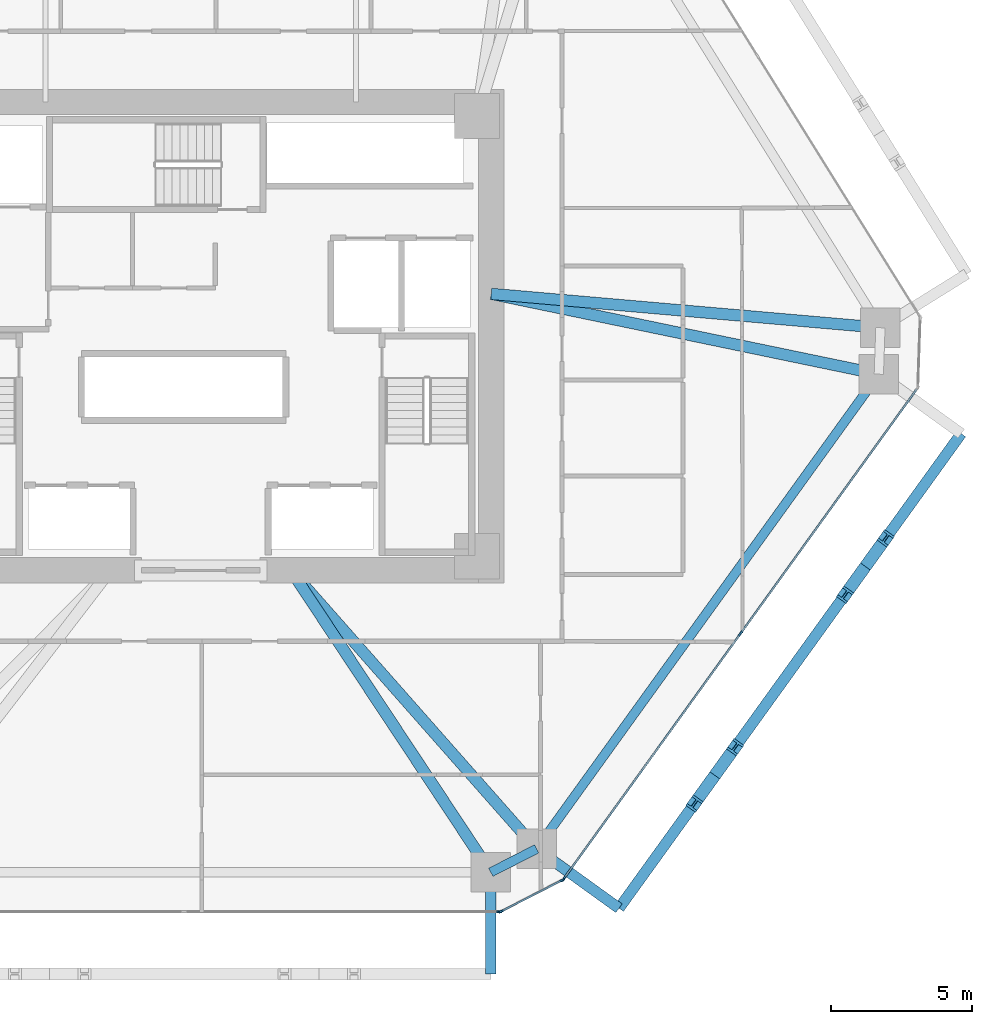
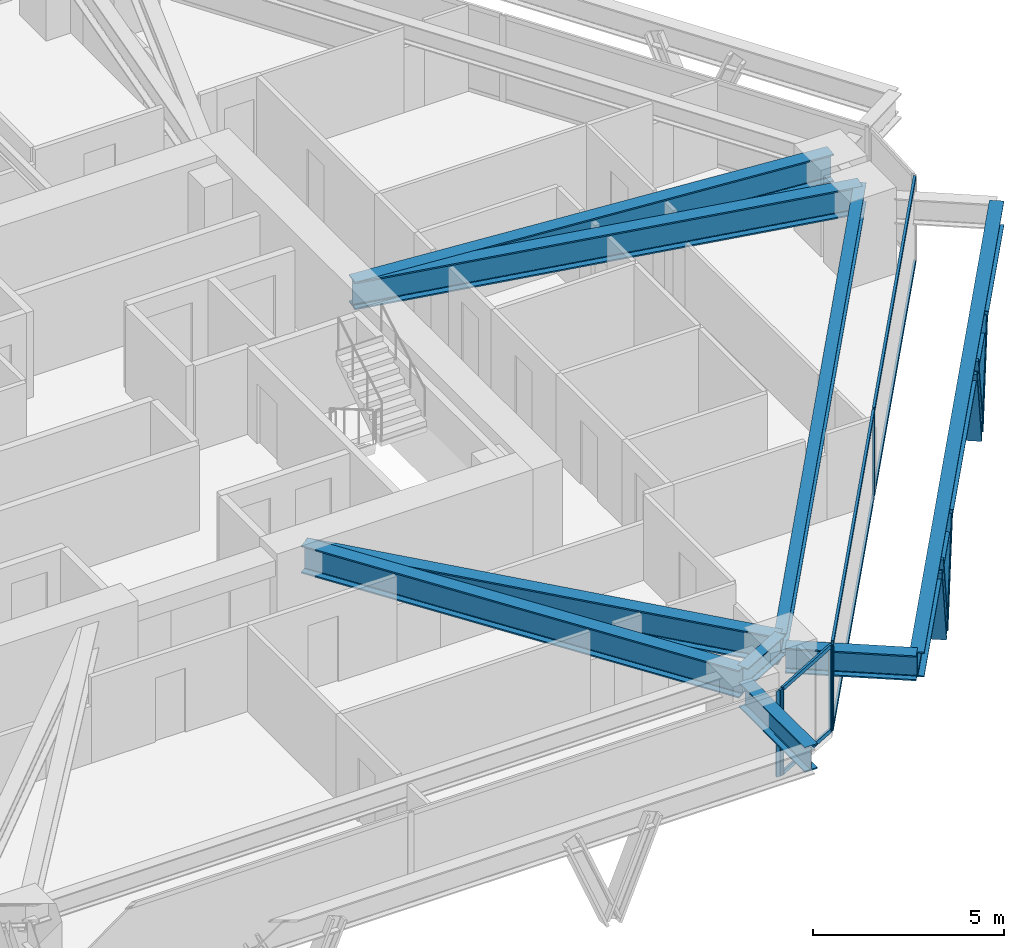
# One storey, part 5 of 15: 15 members, 9 beams, 3 elements without a shape of their own.
"""IFC4 building model written with IfcOpenShell, lengths in metres."""

from ifc_helpers import new_model, si_unit, direction, frame, origin, origin_2d, place, context, subcontext, project, spatial, rectangle, i_section, extrude, source, transform, mapped, material, layer, layer_set, material_profile, profile_set, type_object, type_shapes, element, aggregate, save


model = new_model("IFC4")

# Units and contexts
model_context = context("Model", 3, precision=1e-05, world=origin(), true_north=direction((0.0, 1.0)))
body_context = subcontext(model_context, "Body", "Model", "MODEL_VIEW")
ifc_project = project(units=[si_unit("LENGTHUNIT", "METRE"), si_unit("AREAUNIT", "SQUARE_METRE"), si_unit("VOLUMEUNIT", "CUBIC_METRE"), si_unit("PLANEANGLEUNIT", "RADIAN"), si_unit("MASSUNIT", "GRAM", prefix="KILO")], contexts=[model_context])

# Site, building, storey
site_placement = place(None, origin())
site = spatial("IfcSite", under=ifc_project, at=site_placement, CompositionType="ELEMENT")
building_placement = place(site_placement, origin())
building = spatial("IfcBuilding", under=site, at=building_placement, Name="Durnholm Broadcast Tower", CompositionType="ELEMENT")
storey_placement = place(building_placement, frame((0.0, 0.0, 75.300048828125)))
storey = spatial("IfcBuildingStorey", under=building, at=storey_placement, Name="L19", CompositionType="ELEMENT", Elevation=75.300048828125)

# Beams
ifc_material_1 = material(Name="Steel ASTM A992 Grade 50", Category="steel")
ifc_material_profile_1 = material_profile(ifc_material_1, i_section(OverallWidth=0.3291015625, OverallDepth=0.635009765625, WebThickness=0.017822265625, FlangeThickness=0.031005859375, FilletRadius=0.02783203125, at=origin_2d()), Name="W24X162")
ifc_profile_set_1 = profile_set([ifc_material_profile_1], Name="Steel ASTM A992 Grade 50")
beam_type_1 = type_object("IfcBeamType", Name="STL-SP-W24X162", PredefinedType="SPANDREL", material=ifc_profile_set_1)
shared_shape_1 = source(origin(), body_context, "Body", "SweptSolid", [
    extrude(i_section(OverallWidth=0.3291015625, OverallDepth=0.635009765625, WebThickness=0.017822265625, FlangeThickness=0.031005859375, FilletRadius=0.02783203125, at=origin_2d()), origin(), (0.0, 0.0, 1.0), 20.737060546875),
])
beam_1_placement = place(storey_placement, frame((24.034912109375, -1.347412109375, 2.427490234375), z_axis=(-0.584821933191, -0.811161701795, 0.0), x_axis=(0.811161701795, -0.584821933191, 0.0)))
element("IfcBeam", 1, at=beam_1_placement, inside=storey, type_object=beam_type_1, Name="L19 perimeter spandrel girder 09", PredefinedType="SPANDREL", context=body_context, shape_type="MappedRepresentation", body=[
    mapped(shared_shape_1, transform((0.0, 0.0, 0.0), x_axis=(1.0, 0.0, 0.0), y_axis=(0.0, 1.0, 0.0), z_axis=(0.0, 0.0, 1.0), scale=1.0)),
])
shared_shape_2 = source(origin(), body_context, "Body", "SweptSolid", [
    extrude(i_section(OverallWidth=0.3291015625, OverallDepth=0.635009765625, WebThickness=0.017822265625, FlangeThickness=0.031005859375, FilletRadius=0.02783203125, at=origin_2d()), origin(), (0.0, 0.0, 1.0), 1.8251953125),
])
type_shapes(beam_type_1, [shared_shape_1, shared_shape_2])
beam_2_placement = place(storey_placement, frame((11.907470703125, -18.16845703125, 2.427490234375), z_axis=(-0.890187609501, -0.455594139438, 0.0), x_axis=(0.455594139438, -0.890187609501, 0.0)))
element("IfcBeam", 2, at=beam_2_placement, inside=storey, type_object=beam_type_1, Name="L19 perimeter spandrel girder 10", PredefinedType="SPANDREL", context=body_context, shape_type="MappedRepresentation", body=[
    mapped(shared_shape_2, transform((0.0, 0.0, 0.0), x_axis=(1.0, 0.0, 0.0), y_axis=(0.0, 1.0, 0.0), z_axis=(0.0, 0.0, 1.0), scale=1.0)),
])
ifc_material_profile_2 = material_profile(ifc_material_1, i_section(OverallWidth=0.404052734375, OverallDepth=0.885009765625, WebThickness=0.0244140625, FlangeThickness=0.0439453125, FilletRadius=0.03564453125, at=origin_2d()), Name="W33X291")
ifc_profile_set_2 = profile_set([ifc_material_profile_2], Name="Steel ASTM A992 Grade 50")
beam_type_2 = type_object("IfcBeamType", Name="STL-GR-W33X291", PredefinedType="USERDEFINED", material=ifc_profile_set_2)
shared_shape_3 = source(origin(), body_context, "Body", "SweptSolid", [
    extrude(i_section(OverallWidth=0.404052734375, OverallDepth=0.885009765625, WebThickness=0.0244140625, FlangeThickness=0.0439453125, FilletRadius=0.03564453125, at=origin_2d()), origin(), (0.0, 0.0, 1.0), 13.843017578125),
])
beam_3_placement = place(storey_placement, frame((10.300048828125, 1.5, 2.302490234375), z_axis=(0.996234364864, -0.086701154915, 0.0), x_axis=(0.086701154915, 0.996234364864, 0.0)))
element("IfcBeam", 3, at=beam_3_placement, inside=storey, type_object=beam_type_2, Name="L19 radial primary floor girder 08", ObjectType="GIRDER", PredefinedType="USERDEFINED", context=body_context, shape_type="MappedRepresentation", body=[
    mapped(shared_shape_3, transform((0.0, 0.0, 0.0), x_axis=(1.0, 0.0, 0.0), y_axis=(0.0, 1.0, 0.0), z_axis=(0.0, 0.0, 1.0), scale=1.0)),
])
shared_shape_4 = source(origin(), body_context, "Body", "SweptSolid", [
    extrude(i_section(OverallWidth=0.404052734375, OverallDepth=0.885009765625, WebThickness=0.0244140625, FlangeThickness=0.0439453125, FilletRadius=0.03564453125, at=origin_2d()), origin(), (0.0, 0.0, 1.0), 14.02685546875),
])
beam_4_placement = place(storey_placement, frame((10.300048828125, 1.5, 2.302490234375), z_axis=(0.979179487914, -0.202996380382, 0.0), x_axis=(0.202996380382, 0.979179487914, 0.0)))
element("IfcBeam", 4, at=beam_4_placement, inside=storey, type_object=beam_type_2, Name="L19 radial primary floor girder 09", ObjectType="GIRDER", PredefinedType="USERDEFINED", context=body_context, shape_type="MappedRepresentation", body=[
    mapped(shared_shape_4, transform((0.0, 0.0, 0.0), x_axis=(1.0, 0.0, 0.0), y_axis=(0.0, 1.0, 0.0), z_axis=(0.0, 0.0, 1.0), scale=1.0)),
])
shared_shape_5 = source(origin(), body_context, "Body", "SweptSolid", [
    extrude(i_section(OverallWidth=0.404052734375, OverallDepth=0.885009765625, WebThickness=0.0244140625, FlangeThickness=0.0439453125, FilletRadius=0.03564453125, at=origin_2d()), origin(), (0.0, 0.0, 1.0), 13.160888671875),
])
beam_5_placement = place(storey_placement, frame((3.199951171875, -8.300048828125, 2.302490234375), z_axis=(0.661625931866, -0.749834065832, 0.0), x_axis=(0.749834065832, 0.661625931866, 0.0)))
element("IfcBeam", 5, at=beam_5_placement, inside=storey, type_object=beam_type_2, Name="L19 radial primary floor girder 10", ObjectType="GIRDER", PredefinedType="USERDEFINED", context=body_context, shape_type="MappedRepresentation", body=[
    mapped(shared_shape_5, transform((0.0, 0.0, 0.0), x_axis=(1.0, 0.0, 0.0), y_axis=(0.0, 1.0, 0.0), z_axis=(0.0, 0.0, 1.0), scale=1.0)),
])
shared_shape_6 = source(origin(), body_context, "Body", "SweptSolid", [
    extrude(i_section(OverallWidth=0.404052734375, OverallDepth=0.885009765625, WebThickness=0.0244140625, FlangeThickness=0.0439453125, FilletRadius=0.03564453125, at=origin_2d()), origin(), (0.0, 0.0, 1.0), 12.831787109375),
])
type_shapes(beam_type_2, [shared_shape_3, shared_shape_4, shared_shape_5, shared_shape_6])
beam_6_placement = place(storey_placement, frame((3.199951171875, -8.300048828125, 2.302490234375), z_axis=(0.551970609544, -0.833863565699, 0.0), x_axis=(0.833863565699, 0.551970609544, 0.0)))
element("IfcBeam", 6, at=beam_6_placement, inside=storey, type_object=beam_type_2, Name="L19 radial primary floor girder 11", ObjectType="GIRDER", PredefinedType="USERDEFINED", context=body_context, shape_type="MappedRepresentation", body=[
    mapped(shared_shape_6, transform((0.0, 0.0, 0.0), x_axis=(1.0, 0.0, 0.0), y_axis=(0.0, 1.0, 0.0), z_axis=(0.0, 0.0, 1.0), scale=1.0)),
])
ifc_material_profile_3 = material_profile(ifc_material_1, i_section(OverallWidth=0.385009765625, OverallDepth=0.802978515625, WebThickness=0.023681640625, FlangeThickness=0.0419921875, FilletRadius=0.032958984375, at=origin_2d()), Name="W30X261")
ifc_profile_set_3 = profile_set([ifc_material_profile_3], Name="Steel ASTM A992 Grade 50")
beam_type_3 = type_object("IfcBeamType", Name="BM-EXO-TIE", PredefinedType="USERDEFINED", material=ifc_profile_set_3)
shared_shape_7 = source(origin(), body_context, "Body", "SweptSolid", [
    extrude(i_section(OverallWidth=0.385009765625, OverallDepth=0.802978515625, WebThickness=0.023681640625, FlangeThickness=0.0419921875, FilletRadius=0.032958984375, at=origin_2d()), origin(), (0.0, 0.0, 1.0), 3.4560546875),
])
for number, where, z_axis, x_axis, name in (
    (7, (10.28271484375, -19.14404296875, 2.008544921875), (0.0, -1.0, 0.0), (1.0, 0.0, 0.0), "L19 exoskeleton stand-off tie bracket F1.2"),
    (8, (12.024169921875, -18.252685546875, 2.008544921875), (0.811157675106, -0.584827518262, 0.0), (0.584827518262, 0.811157675106, 0.0), "L19 exoskeleton stand-off tie bracket F2.1"),
):
    element("IfcBeam", number, at=place(storey_placement, frame(where, z_axis=z_axis, x_axis=x_axis)), inside=storey, type_object=beam_type_3, Name=name, ObjectType="GIRDER", PredefinedType="USERDEFINED", context=body_context, shape_type="MappedRepresentation", body=[
        mapped(shared_shape_7, transform((0.0, 0.0, 0.0), x_axis=(1.0, 0.0, 0.0), y_axis=(0.0, 1.0, 0.0), z_axis=(0.0, 0.0, 1.0), scale=1.0)),
    ])
shared_shape_8 = source(origin(), body_context, "Body", "SweptSolid", [
    extrude(i_section(OverallWidth=0.385009765625, OverallDepth=0.802978515625, WebThickness=0.023681640625, FlangeThickness=0.0419921875, FilletRadius=0.032958984375, at=origin_2d()), origin(), (0.0, 0.0, 1.0), 20.737060546875),
])
type_shapes(beam_type_3, [shared_shape_7, shared_shape_8])
beam_7_placement = place(storey_placement, frame((14.82763671875, -20.27392578125, 2.008544921875), z_axis=(0.5848163482, 0.811165728368, 0.0), x_axis=(-0.811165728368, 0.5848163482, 0.0)))
element("IfcBeam", 9, at=beam_7_placement, inside=storey, type_object=beam_type_3, Name="L19 exoskeleton collector spandrel F2", PredefinedType="SPANDREL", context=body_context, shape_type="MappedRepresentation", body=[
    mapped(shared_shape_8, transform((0.0, 0.0, 0.0), x_axis=(1.0, 0.0, 0.0), y_axis=(0.0, 1.0, 0.0), z_axis=(0.0, 0.0, 1.0), scale=1.0)),
])

# Members
ifc_material_2 = material(Name="Steel ASTM A913 Grade 65", Category="steel")
ifc_material_profile_4 = material_profile(ifc_material_2, i_section(OverallWidth=0.43212890625, OverallDepth=0.497802734375, WebThickness=0.0556640625, FlangeThickness=0.0888671875, FilletRadius=0.030517578125, at=origin_2d()), Name="W14X500")
ifc_profile_set_4 = profile_set([ifc_material_profile_4], Name="Steel ASTM A913 Grade 65")
member_type_1 = type_object("IfcMemberType", Name="STL-DG-W14X500", PredefinedType="BRACE", material=ifc_profile_set_4)
shared_shape_9 = source(origin(), body_context, "Body", "SweptSolid", [
    extrude(i_section(OverallWidth=0.43212890625, OverallDepth=0.497802734375, WebThickness=0.0556640625, FlangeThickness=0.0888671875, FilletRadius=0.030517578125, at=origin_2d()), origin(), (0.0, 0.0, 1.0), 3.243896484375),
])
for number, where, z_axis, x_axis, name in (
    (10, (18.223388671875, -15.56396484375, -0.991455078125), (-0.222479198439, -0.308505492017, 0.924839103659), (0.81109123444, -0.58491966065, 0.0), "L19 stand-off diagrid brace F2.D1.1"),
    (11, (23.5595703125, -8.16259765625, -0.991455078125), (-0.222479198439, -0.308505492017, 0.924839103659), (0.81109123444, -0.58491966065, 0.0), "L19 stand-off diagrid brace F2.D2.1"),
):
    element("IfcMember", number, at=place(storey_placement, frame(where, z_axis=z_axis, x_axis=x_axis)), inside=storey, type_object=member_type_1, Name=name, PredefinedType="BRACE", context=body_context, shape_type="MappedRepresentation", body=[
        mapped(shared_shape_9, transform((0.0, 0.0, 0.0), x_axis=(1.0, 0.0, 0.0), y_axis=(0.0, 1.0, 0.0), z_axis=(0.0, 0.0, 1.0), scale=1.0)),
    ])
shared_shape_10 = source(origin(), body_context, "Body", "SweptSolid", [
    extrude(i_section(OverallWidth=0.43212890625, OverallDepth=0.497802734375, WebThickness=0.0556640625, FlangeThickness=0.0888671875, FilletRadius=0.030517578125, at=origin_2d()), origin(), (0.0, 0.0, 1.0), 3.24365234375),
])
type_shapes(member_type_1, [shared_shape_9, shared_shape_10])
for number, where, z_axis, x_axis, name in (
    (12, (18.223388671875, -15.56396484375, -0.991455078125), (0.222407658365, 0.308510657069, 0.924854587476), (-0.811185111535, 0.584789461963, 0.0), "L19 stand-off diagrid brace F2.D1.2"),
    (13, (23.5595703125, -8.16259765625, -0.991455078125), (0.222407658365, 0.308510657069, 0.924854587476), (-0.811185111535, 0.584789461963, 0.0), "L19 stand-off diagrid brace F2.D2.2"),
):
    element("IfcMember", number, at=place(storey_placement, frame(where, z_axis=z_axis, x_axis=x_axis)), inside=storey, type_object=member_type_1, Name=name, PredefinedType="BRACE", context=body_context, shape_type="MappedRepresentation", body=[
        mapped(shared_shape_10, transform((0.0, 0.0, 0.0), x_axis=(1.0, 0.0, 0.0), y_axis=(0.0, 1.0, 0.0), z_axis=(0.0, 0.0, 1.0), scale=1.0)),
    ])

# Curtain wall, members
ifc_material_3 = material(Name="Aluminium and Solar Control IGU", Category="aluminium")
ifc_layer_1 = layer(ifc_material_3, 0.1650390625)
ifc_layer_set_1 = layer_set([ifc_layer_1], Name="Aluminium and Solar Control IGU")
curtain_wall_type_1 = type_object("IfcCurtainWallType", Name="CW-SYS-5", PredefinedType="NOTDEFINED", material=ifc_layer_set_1)
curtain_wall_1_placement = place(storey_placement, origin())
curtain_wall_1 = element("IfcCurtainWall", 14, at=curtain_wall_1_placement, inside=storey, type_object=curtain_wall_type_1, Name="L19 curtain wall CW-CORNER CW-L19-CRN-09", PredefinedType="NOTDEFINED")
ifc_material_4 = material(Name="Aluminium 6063-T6", Category="aluminium")
ifc_material_profile_5 = material_profile(ifc_material_4, rectangle(XDim=0.06494140625, YDim=0.1298828125, at=origin_2d()), Name="CWT65X130")
ifc_profile_set_5 = profile_set([ifc_material_profile_5], Name="Aluminium 6063-T6")
member_type_2 = type_object("IfcMemberType", Name="CW-SYS-5-TRN", PredefinedType="USERDEFINED", material=ifc_profile_set_5)
shared_shape_11 = source(origin(), body_context, "Body", "SweptSolid", [
    extrude(rectangle(XDim=0.06494140625, YDim=0.1298828125, at=origin_2d()), origin(), (0.0, 0.0, 1.0), 2.3701171875),
])
type_shapes(member_type_2, [shared_shape_11])
member_1_placement = place(storey_placement, frame((12.787841796875, -19.29052734375, 0.032470703125), z_axis=(-0.890185016934, -0.455599205033, 0.0), x_axis=(0.455599205033, -0.890185016934, 0.0)))
member_1 = element("IfcMember", 15, at=member_1_placement, type_object=member_type_2, Name="CW-CORNER transom 1.1", ObjectType="TRANSOM", PredefinedType="USERDEFINED", context=body_context, shape_type="MappedRepresentation", body=[
    mapped(shared_shape_11, transform((0.0, 0.0, 0.0), x_axis=(1.0, 0.0, 0.0), y_axis=(0.0, 1.0, 0.0), z_axis=(0.0, 0.0, 1.0), scale=1.0)),
])
member_2_placement = place(storey_placement, frame((12.787841796875, -19.29052734375, 2.7275390625), z_axis=(-0.890185016934, -0.455599205033, 0.0), x_axis=(0.455599205033, -0.890185016934, 0.0)))
member_2 = element("IfcMember", 16, at=member_2_placement, type_object=member_type_2, Name="CW-CORNER transom 1.2", ObjectType="TRANSOM", PredefinedType="USERDEFINED", context=body_context, shape_type="MappedRepresentation", body=[
    mapped(shared_shape_11, transform((0.0, 0.0, 0.0), x_axis=(1.0, 0.0, 0.0), y_axis=(0.0, 1.0, 0.0), z_axis=(0.0, 0.0, 1.0), scale=1.0)),
])

ifc_layer_2 = layer(ifc_material_3, 0.18994140625)
ifc_layer_set_2 = layer_set([ifc_layer_2], Name="Aluminium and Solar Control IGU")
curtain_wall_type_2 = type_object("IfcCurtainWallType", Name="CW-SYS-3", PredefinedType="NOTDEFINED", material=ifc_layer_set_2)
curtain_wall_2_placement = place(storey_placement, origin())
curtain_wall_2 = element("IfcCurtainWall", 17, at=curtain_wall_2_placement, inside=storey, type_object=curtain_wall_type_2, Name="L19 curtain wall CW-Z12-VIS CW-L19-F08", PredefinedType="NOTDEFINED")
ifc_material_profile_6 = material_profile(ifc_material_4, rectangle(XDim=0.070068359375, YDim=0.14990234375, at=origin_2d()), Name="CWT70X150")
ifc_profile_set_6 = profile_set([ifc_material_profile_6], Name="Aluminium 6063-T6")
member_type_3 = type_object("IfcMemberType", Name="CW-SYS-3-TRN", PredefinedType="USERDEFINED", material=ifc_profile_set_6)
shared_shape_12 = source(origin(), body_context, "Body", "SweptSolid", [
    extrude(rectangle(XDim=0.070068359375, YDim=0.14990234375, at=origin_2d()), origin(), (0.0, 0.0, 1.0), 10.6455078125),
])
member_3_placement = place(storey_placement, frame((25.37890625, -1.877197265625, 0.034912109375), z_axis=(-0.584812103659, -0.811168788486, 0.0), x_axis=(0.811168788486, -0.584812103659, 0.0)))
member_3 = element("IfcMember", 18, at=member_3_placement, type_object=member_type_3, Name="CW-Z12-VIS transom 1.1", ObjectType="TRANSOM", PredefinedType="USERDEFINED", context=body_context, shape_type="MappedRepresentation", body=[
    mapped(shared_shape_12, transform((0.0, 0.0, 0.0), x_axis=(1.0, 0.0, 0.0), y_axis=(0.0, 1.0, 0.0), z_axis=(0.0, 0.0, 1.0), scale=1.0)),
])
member_4_placement = place(storey_placement, frame((25.37890625, -1.877197265625, 2.724853515625), z_axis=(-0.584812103659, -0.811168788486, 0.0), x_axis=(0.811168788486, -0.584812103659, 0.0)))
member_4 = element("IfcMember", 19, at=member_4_placement, type_object=member_type_3, Name="CW-Z12-VIS transom 1.2", ObjectType="TRANSOM", PredefinedType="USERDEFINED", context=body_context, shape_type="MappedRepresentation", body=[
    mapped(shared_shape_12, transform((0.0, 0.0, 0.0), x_axis=(1.0, 0.0, 0.0), y_axis=(0.0, 1.0, 0.0), z_axis=(0.0, 0.0, 1.0), scale=1.0)),
])
shared_shape_13 = source(origin(), body_context, "Body", "SweptSolid", [
    extrude(rectangle(XDim=0.070068359375, YDim=0.14990234375, at=origin_2d()), origin(), (0.0, 0.0, 1.0), 10.645263671875),
])
type_shapes(member_type_3, [shared_shape_12, shared_shape_13])
member_5_placement = place(storey_placement, frame((19.1123046875, -10.569091796875, 0.034912109375), z_axis=(-0.584822983179, -0.811160944786, 0.0), x_axis=(0.811160944786, -0.584822983179, 0.0)))
member_5 = element("IfcMember", 20, at=member_5_placement, type_object=member_type_3, Name="CW-Z12-VIS transom 2.1", ObjectType="TRANSOM", PredefinedType="USERDEFINED", context=body_context, shape_type="MappedRepresentation", body=[
    mapped(shared_shape_13, transform((0.0, 0.0, 0.0), x_axis=(1.0, 0.0, 0.0), y_axis=(0.0, 1.0, 0.0), z_axis=(0.0, 0.0, 1.0), scale=1.0)),
])
member_6_placement = place(storey_placement, frame((19.1123046875, -10.569091796875, 2.724853515625), z_axis=(-0.584822983179, -0.811160944786, 0.0), x_axis=(0.811160944786, -0.584822983179, 0.0)))
member_6 = element("IfcMember", 21, at=member_6_placement, type_object=member_type_3, Name="CW-Z12-VIS transom 2.2", ObjectType="TRANSOM", PredefinedType="USERDEFINED", context=body_context, shape_type="MappedRepresentation", body=[
    mapped(shared_shape_13, transform((0.0, 0.0, 0.0), x_axis=(1.0, 0.0, 0.0), y_axis=(0.0, 1.0, 0.0), z_axis=(0.0, 0.0, 1.0), scale=1.0)),
])

# Member
ifc_material_profile_7 = material_profile(ifc_material_4, rectangle(XDim=0.06494140625, YDim=0.1650390625, at=origin_2d()), Name="CWM65X165")
ifc_profile_set_7 = profile_set([ifc_material_profile_7], Name="Aluminium 6063-T6")
member_type_4 = type_object("IfcMemberType", Name="CW-SYS-5-MUL", PredefinedType="MULLION", material=ifc_profile_set_7)
shared_shape_14 = source(origin(), body_context, "Body", "SweptSolid", [
    extrude(rectangle(XDim=0.06494140625, YDim=0.1650390625, at=origin_2d()), origin(), (0.0, 0.0, 1.0), 2.760009765625),
])
type_shapes(member_type_4, [shared_shape_14])
member_7_placement = place(storey_placement, frame((12.816650390625, -19.27587890625, 0.0), z_axis=(0.0, 0.0, 1.0), x_axis=(0.455593758406, -0.890187804512, 0.0)))
member_7 = element("IfcMember", 22, at=member_7_placement, type_object=member_type_4, Name="CW-CORNER mullion 1", PredefinedType="MULLION", context=body_context, shape_type="MappedRepresentation", body=[
    mapped(shared_shape_14, transform((0.0, 0.0, 0.0), x_axis=(1.0, 0.0, 0.0), y_axis=(0.0, 1.0, 0.0), z_axis=(0.0, 0.0, 1.0), scale=1.0)),
])

member_8_placement = place(storey_placement, frame((10.649169921875, -20.38525390625, 0.0), z_axis=(0.0, 0.0, 1.0), x_axis=(0.455593758406, -0.890187804512, 0.0)))
member_8 = element("IfcMember", 23, at=member_8_placement, type_object=member_type_4, Name="CW-CORNER mullion 2", PredefinedType="MULLION", context=body_context, shape_type="MappedRepresentation", body=[
    mapped(shared_shape_14, transform((0.0, 0.0, 0.0), x_axis=(1.0, 0.0, 0.0), y_axis=(0.0, 1.0, 0.0), z_axis=(0.0, 0.0, 1.0), scale=1.0)),
])

aggregate(curtain_wall_1, [member_7, member_8, member_1, member_2])

ifc_material_profile_8 = material_profile(ifc_material_4, rectangle(XDim=0.070068359375, YDim=0.18994140625, at=origin_2d()), Name="CWM70X190")
ifc_profile_set_8 = profile_set([ifc_material_profile_8], Name="Aluminium 6063-T6")
member_type_5 = type_object("IfcMemberType", Name="CW-SYS-3-MUL", PredefinedType="MULLION", material=ifc_profile_set_8)
shared_shape_15 = source(origin(), body_context, "Body", "SweptSolid", [
    extrude(rectangle(XDim=0.070068359375, YDim=0.18994140625, at=origin_2d()), origin(), (0.0, 0.0, 1.0), 2.760009765625),
])
type_shapes(member_type_5, [shared_shape_15])
member_9_placement = place(storey_placement, frame((19.1328125, -10.540771484375, 0.0), z_axis=(0.0, 0.0, 1.0), x_axis=(0.81116057493, -0.584823496176, 0.0)))
member_9 = element("IfcMember", 24, at=member_9_placement, type_object=member_type_5, Name="CW-Z12-VIS mullion 2", PredefinedType="MULLION", context=body_context, shape_type="MappedRepresentation", body=[
    mapped(shared_shape_15, transform((0.0, 0.0, 0.0), x_axis=(1.0, 0.0, 0.0), y_axis=(0.0, 1.0, 0.0), z_axis=(0.0, 0.0, 1.0), scale=1.0)),
])

member_10_placement = place(storey_placement, frame((12.8662109375, -19.232666015625, 0.0), z_axis=(0.0, 0.0, 1.0), x_axis=(0.81116057493, -0.584823496176, 0.0)))
member_10 = element("IfcMember", 25, at=member_10_placement, type_object=member_type_5, Name="CW-Z12-VIS mullion 3", PredefinedType="MULLION", context=body_context, shape_type="MappedRepresentation", body=[
    mapped(shared_shape_15, transform((0.0, 0.0, 0.0), x_axis=(1.0, 0.0, 0.0), y_axis=(0.0, 1.0, 0.0), z_axis=(0.0, 0.0, 1.0), scale=1.0)),
])

aggregate(curtain_wall_2, [member_9, member_10, member_3, member_4, member_5, member_6])

# Curtain wall, member
curtain_wall_3_placement = place(storey_placement, origin())
curtain_wall_3 = element("IfcCurtainWall", 26, at=curtain_wall_3_placement, inside=storey, type_object=curtain_wall_type_2, Name="L19 curtain wall CW-Z12-VIS CW-L19-F10", PredefinedType="NOTDEFINED")
member_11_placement = place(storey_placement, frame((10.585205078125, -20.39990234375, 0.0), z_axis=(0.0, 0.0, 1.0), x_axis=(0.0, -1.0, 0.0)))
member_11 = element("IfcMember", 27, at=member_11_placement, type_object=member_type_5, Name="CW-Z12-VIS mullion 1", PredefinedType="MULLION", context=body_context, shape_type="MappedRepresentation", body=[
    mapped(shared_shape_15, transform((0.0, 0.0, 0.0), x_axis=(1.0, 0.0, 0.0), y_axis=(0.0, 1.0, 0.0), z_axis=(0.0, 0.0, 1.0), scale=1.0)),
])
aggregate(curtain_wall_3, [member_11])

save(model, "model.ifc")
